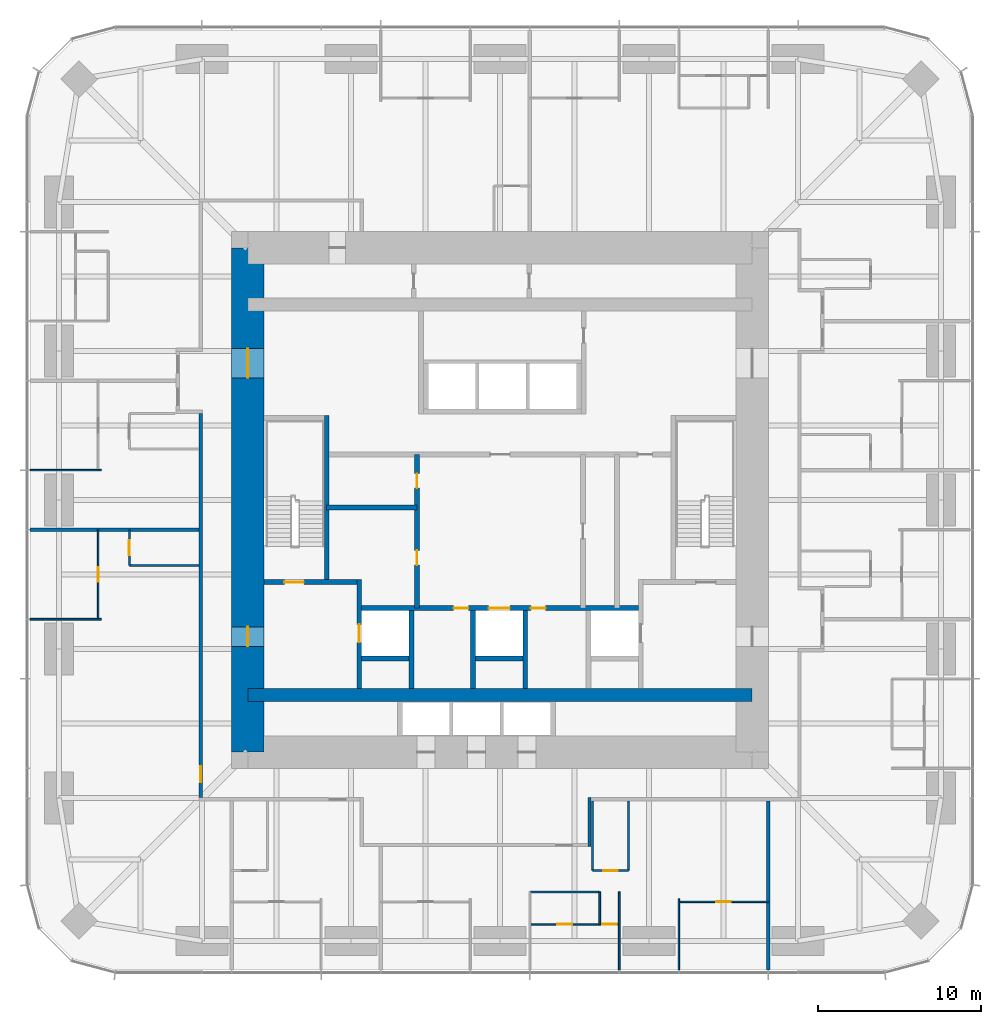
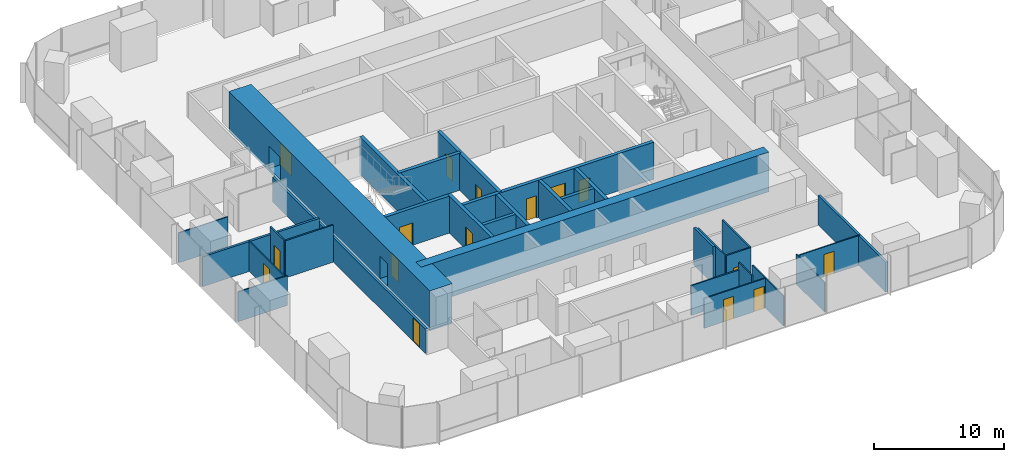
# One storey, part 9 of 13: 31 walls, 16 doors, 16 openings.
"""IFC4 building model written with IfcOpenShell, lengths in metres."""

from ifc_helpers import new_model, si_unit, direction, frame, frame_2d, origin, place, context, subcontext, project, spatial, rectangle, extrude, material, layer, layer_set, type_object, element, fill, save


model = new_model("IFC4")

# Units and contexts
model_context = context("Model", 3, precision=1e-05, world=origin(), true_north=direction((0.0, 1.0)))
body_context = subcontext(model_context, "Body", "Model", "MODEL_VIEW")
ifc_project = project(units=[si_unit("LENGTHUNIT", "METRE"), si_unit("AREAUNIT", "SQUARE_METRE"), si_unit("VOLUMEUNIT", "CUBIC_METRE"), si_unit("PLANEANGLEUNIT", "RADIAN"), si_unit("MASSUNIT", "GRAM", prefix="KILO")], contexts=[model_context])

# Site, building, storey
site_placement = place(None, origin())
site = spatial("IfcSite", under=ifc_project, at=site_placement, CompositionType="ELEMENT")
building_placement = place(site_placement, origin())
building = spatial("IfcBuilding", under=site, at=building_placement, Name="Khuree Lantern Residences", CompositionType="ELEMENT")
storey_placement = place(building_placement, frame((0.0, 0.0, 133.5)))
storey = spatial("IfcBuildingStorey", under=building, at=storey_placement, Name="L33", CompositionType="ELEMENT", Elevation=133.5)

# Wall, opening, door
ifc_material_1 = material(Name="Moisture-resistant gypsum board on steel studs", Category="steel")
ifc_layer_1 = layer(ifc_material_1, 0.125)
ifc_layer_set_1 = layer_set([ifc_layer_1], Name="BATHROOM WALL BTW125")
wall_type_1 = type_object("IfcWallType", Name="BATHROOM WALL BTW125", PredefinedType="PARTITIONING", material=ifc_layer_set_1)
wall_1_placement = place(storey_placement, frame((-22.77978515625, -1.83203125, 0.0), z_axis=(0.0, 0.0, 1.0), x_axis=(0.0, -1.0, 0.0)))
wall_1 = element("IfcWall", 1, at=wall_1_placement, inside=storey, type_object=wall_type_1, Name="L33 BATHROOM WALL 06", PredefinedType="PARTITIONING", context=body_context, shape_type="SweptSolid", body=[
    extrude(rectangle(XDim=2.199951171875, YDim=0.125, at=frame_2d((1.10009765625, 0.0))), origin(), (0.0, 0.0, 1.0), 3.5),
])
opening_1_placement = place(wall_1_placement, frame((0.64990234375, 0.0, 0.0)))
opening_1 = element("IfcOpeningElement", 2, at=opening_1_placement, cuts=wall_1, Name="Opening 33-044", PredefinedType="OPENING", context=body_context, shape_type="SweptSolid", body=[
    extrude(rectangle(XDim=0.89990234375, YDim=2.10009765625, at=frame_2d((0.449951171875, 1.050048828125))), frame((0.0, 0.072509765625, 0.0), z_axis=(0.0, -1.0, 0.0), x_axis=(1.0, 0.0, 0.0)), (0.0, 0.0, 1.0), 0.14501953125),
])
ifc_material_2 = material(Name="Timber door leaf in hardwood frame", Category="wood")
door_type_1 = type_object("IfcDoorType", Name="BATHROOM DOOR 900X2100", OperationType="SINGLE_SWING_LEFT", PredefinedType="DOOR", material=ifc_material_2)
door_1_placement = place(opening_1_placement, origin())
door_1 = element("IfcDoor", 3, at=door_1_placement, inside=storey, type_object=door_type_1, Name="Bathroom door 33-044", OperationType="SINGLE_SWING_LEFT", OverallHeight=2.10009765625, OverallWidth=0.89990234375, PredefinedType="DOOR", context=body_context, shape_type="SweptSolid", body=[
    extrude(rectangle(XDim=0.89990234375, YDim=2.10009765625, at=frame_2d((0.449951171875, 1.050048828125))), frame((0.0, 0.02490234375, 0.0), z_axis=(0.0, -1.0, 0.0), x_axis=(1.0, 0.0, 0.0)), (0.0, 0.0, 1.0), 0.050048828125),
])
fill(opening_1, door_1)

# Walls
wall_2_placement = place(storey_placement, frame((-18.5, -4.031982421875, 0.0), z_axis=(0.0, 0.0, 1.0), x_axis=(-1.0, 0.0, 0.0)))
element("IfcWall", 4, at=wall_2_placement, inside=storey, type_object=wall_type_1, Name="L33 BATHROOM WALL 06", PredefinedType="PARTITIONING", context=body_context, shape_type="SweptSolid", body=[
    extrude(rectangle(XDim=4.27978515625, YDim=0.125, at=frame_2d((2.139892578125, 0.0))), origin(), (0.0, 0.0, 1.0), 3.5),
])
wall_3_placement = place(storey_placement, frame((1.83203125, -24.079833984375, 0.0), z_axis=(0.0, 0.0, 1.0), x_axis=(1.0, 0.0, 0.0)))
element("IfcWall", 5, at=wall_3_placement, inside=storey, type_object=wall_type_1, Name="L33 BATHROOM WALL 08", PredefinedType="PARTITIONING", context=body_context, shape_type="SweptSolid", body=[
    extrude(rectangle(XDim=4.2958984375, YDim=0.125, at=frame_2d((2.14794921875, 0.0))), origin(), (0.0, 0.0, 1.0), 2.81005859375),
])

# Wall, opening, door
wall_4_placement = place(storey_placement, frame((5.68359375, -22.77978515625, 0.0), z_axis=(0.0, 0.0, 1.0), x_axis=(1.0, 0.0, 0.0)))
wall_4 = element("IfcWall", 6, at=wall_4_placement, inside=storey, type_object=wall_type_1, Name="L33 BATHROOM WALL 08", PredefinedType="PARTITIONING", context=body_context, shape_type="SweptSolid", body=[
    extrude(rectangle(XDim=2.199951171875, YDim=0.125, at=frame_2d((1.10009765625, 0.0))), origin(), (0.0, 0.0, 1.0), 3.5),
])
opening_2_placement = place(wall_4_placement, frame((0.64990234375, 0.0, 0.0)))
opening_2 = element("IfcOpeningElement", 7, at=opening_2_placement, cuts=wall_4, Name="Opening 33-053", PredefinedType="OPENING", context=body_context, shape_type="SweptSolid", body=[
    extrude(rectangle(XDim=0.89990234375, YDim=2.10009765625, at=frame_2d((0.449951171875, 1.050048828125))), frame((0.0, 0.072509765625, 0.0), z_axis=(0.0, -1.0, 0.0), x_axis=(1.0, 0.0, 0.0)), (0.0, 0.0, 1.0), 0.14501953125),
])
door_2_placement = place(opening_2_placement, origin())
door_2 = element("IfcDoor", 8, at=door_2_placement, inside=storey, type_object=door_type_1, Name="Bathroom door 33-053", OperationType="SINGLE_SWING_LEFT", OverallHeight=2.10009765625, OverallWidth=0.89990234375, PredefinedType="DOOR", context=body_context, shape_type="SweptSolid", body=[
    extrude(rectangle(XDim=0.89990234375, YDim=2.10009765625, at=frame_2d((0.449951171875, 1.050048828125))), frame((0.0, 0.02490234375, 0.0), z_axis=(0.0, -1.0, 0.0), x_axis=(1.0, 0.0, 0.0)), (0.0, 0.0, 1.0), 0.050048828125),
])
fill(opening_2, door_2)

# Walls
for number, where, z_axis, x_axis, name in (
    (9, (5.68359375, -18.5, 0.0), (0.0, 0.0, 1.0), (0.0, -1.0, 0.0), "L33 BATHROOM WALL 08"),
    (10, (7.883544921875, -18.5, 0.0), (0.0, 0.0, 1.0), (0.0, -1.0, 0.0), "L33 BATHROOM WALL 08"),
):
    element("IfcWall", number, at=place(storey_placement, frame(where, z_axis=z_axis, x_axis=x_axis)), inside=storey, type_object=wall_type_1, Name=name, PredefinedType="PARTITIONING", context=body_context, shape_type="SweptSolid", body=[
        extrude(rectangle(XDim=4.27978515625, YDim=0.125, at=frame_2d((2.139892578125, 0.0))), origin(), (0.0, 0.0, 1.0), 3.5),
    ])

# Wall, opening, door
ifc_material_3 = material(Name="Dense concrete blockwork", Category="masonry")
ifc_layer_2 = layer(ifc_material_3, 0.300048828125)
ifc_layer_set_2 = layer_set([ifc_layer_2], Name="CORE PARTITION WALL CPW300 EI 120")
wall_type_2 = type_object("IfcWallType", Name="CORE PARTITION WALL CPW300 EI 120", PredefinedType="PARTITIONING", material=ifc_layer_set_2)
wall_5_placement = place(storey_placement, frame((-8.64990234375, -11.60009765625, 0.0), z_axis=(0.0, 0.0, 1.0), x_axis=(0.0, 1.0, 0.0)))
wall_5 = element("IfcWall", 11, at=wall_5_placement, inside=storey, type_object=wall_type_2, Name="L33 CORE WALL FL1W", PredefinedType="PARTITIONING", context=body_context, shape_type="SweptSolid", body=[
    extrude(rectangle(XDim=6.7001953125, YDim=0.300048828125, at=frame_2d((3.35009765625, 0.0))), origin(), (0.0, 0.0, 1.0), 3.5),
])
opening_3_placement = place(wall_5_placement, frame((2.85009765625, 0.0, 0.0)))
opening_3 = element("IfcOpeningElement", 12, at=opening_3_placement, cuts=wall_5, Name="Opening 33-007", PredefinedType="OPENING", context=body_context, shape_type="SweptSolid", body=[
    extrude(rectangle(XDim=1.10009765625, YDim=2.10009765625, at=frame_2d((0.550048828125, 1.050048828125))), frame((0.0, 0.16015625, 0.0), z_axis=(0.0, -1.0, 0.0), x_axis=(1.0, 0.0, 0.0)), (0.0, 0.0, 1.0), 0.320068359375),
])
ifc_material_4 = material(Name="Stainless steel lift landing door", Category="steel")
door_type_2 = type_object("IfcDoorType", Name="LIFT LANDING DOOR 1100X2100 E 120", OperationType="DOUBLE_DOOR_SLIDING", PredefinedType="DOOR", material=ifc_material_4)
door_3_placement = place(opening_3_placement, origin())
door_3 = element("IfcDoor", 13, at=door_3_placement, inside=storey, type_object=door_type_2, Name="Landing door FL1 33-007", OperationType="DOUBLE_DOOR_SLIDING", OverallHeight=2.10009765625, OverallWidth=1.10009765625, PredefinedType="DOOR", context=body_context, shape_type="SweptSolid", body=[
    extrude(rectangle(XDim=1.10009765625, YDim=2.10009765625, at=frame_2d((0.550048828125, 1.050048828125))), frame((0.0, 0.02490234375, 0.0), z_axis=(0.0, -1.0, 0.0), x_axis=(1.0, 0.0, 0.0)), (0.0, 0.0, 1.0), 0.050048828125),
])
fill(opening_3, door_3)

# Wall, openings, doors
wall_6_placement = place(storey_placement, frame((-8.5, -6.64990234375, 0.0), z_axis=(0.0, 0.0, 1.0), x_axis=(1.0, 0.0, 0.0)))
wall_6 = element("IfcWall", 14, at=wall_6_placement, inside=storey, type_object=wall_type_2, Name="L33 CORE WALL FLROW", PredefinedType="PARTITIONING", context=body_context, shape_type="SweptSolid", body=[
    extrude(rectangle(XDim=17.0, YDim=0.300048828125, at=frame_2d((8.5, 0.0))), origin(), (0.0, 0.0, 1.0), 3.5),
])
opening_4_placement = place(wall_6_placement, frame((7.800048828125, 0.0, 0.0)))
opening_4 = element("IfcOpeningElement", 15, at=opening_4_placement, cuts=wall_6, Name="Opening 33-012", PredefinedType="OPENING", context=body_context, shape_type="SweptSolid", body=[
    extrude(rectangle(XDim=1.300048828125, YDim=2.39990234375, at=frame_2d((0.64990234375, 1.199951171875))), frame((0.0, 0.16015625, 0.0), z_axis=(0.0, -1.0, 0.0), x_axis=(1.0, 0.0, 0.0)), (0.0, 0.0, 1.0), 0.320068359375),
])
opening_5_placement = place(wall_6_placement, frame((5.64990234375, 0.0, 0.0)))
opening_5 = element("IfcOpeningElement", 16, at=opening_5_placement, cuts=wall_6, Name="Opening 33-014", PredefinedType="OPENING", context=body_context, shape_type="SweptSolid", body=[
    extrude(rectangle(XDim=0.89990234375, YDim=2.10009765625, at=frame_2d((0.449951171875, 1.050048828125))), frame((0.0, 0.16015625, 0.0), z_axis=(0.0, -1.0, 0.0), x_axis=(1.0, 0.0, 0.0)), (0.0, 0.0, 1.0), 0.320068359375),
])
opening_6_placement = place(wall_6_placement, frame((10.39990234375, 0.0, 0.0)))
opening_6 = element("IfcOpeningElement", 17, at=opening_6_placement, cuts=wall_6, Name="Opening 33-015", PredefinedType="OPENING", context=body_context, shape_type="SweptSolid", body=[
    extrude(rectangle(XDim=0.89990234375, YDim=2.10009765625, at=frame_2d((0.449951171875, 1.050048828125))), frame((0.0, 0.16015625, 0.0), z_axis=(0.0, -1.0, 0.0), x_axis=(1.0, 0.0, 0.0)), (0.0, 0.0, 1.0), 0.320068359375),
])
ifc_material_5 = material(Name="Steel door leaf in steel frame", Category="steel")
door_type_3 = type_object("IfcDoorType", Name="DOOR 900X2100 EI 60", OperationType="SINGLE_SWING_LEFT", PredefinedType="DOOR", material=ifc_material_5)
door_4_placement = place(opening_5_placement, origin())
door_4 = element("IfcDoor", 18, at=door_4_placement, inside=storey, type_object=door_type_3, Name="Refuse chute room door 33-014", OperationType="SINGLE_SWING_LEFT", OverallHeight=2.10009765625, OverallWidth=0.89990234375, PredefinedType="DOOR", context=body_context, shape_type="SweptSolid", body=[
    extrude(rectangle(XDim=0.89990234375, YDim=2.10009765625, at=frame_2d((0.449951171875, 1.050048828125))), frame((0.0, 0.02490234375, 0.0), z_axis=(0.0, -1.0, 0.0), x_axis=(1.0, 0.0, 0.0)), (0.0, 0.0, 1.0), 0.050048828125),
])
fill(opening_5, door_4)
door_type_4 = type_object("IfcDoorType", Name="DOOR 900X2100 EI 60 RIGHT HAND", OperationType="SINGLE_SWING_RIGHT", PredefinedType="DOOR", material=ifc_material_5)
door_5_placement = place(opening_6_placement, origin())
door_5 = element("IfcDoor", 19, at=door_5_placement, inside=storey, type_object=door_type_4, Name="Electrical and plumbing riser door 33-015", OperationType="SINGLE_SWING_RIGHT", OverallHeight=2.10009765625, OverallWidth=0.89990234375, PredefinedType="DOOR", context=body_context, shape_type="SweptSolid", body=[
    extrude(rectangle(XDim=0.89990234375, YDim=2.10009765625, at=frame_2d((0.449951171875, 1.050048828125))), frame((0.0, 0.02490234375, 0.0), z_axis=(0.0, -1.0, 0.0), x_axis=(1.0, 0.0, 0.0)), (0.0, 0.0, 1.0), 0.050048828125),
])
fill(opening_6, door_5)
door_type_5 = type_object("IfcDoorType", Name="LIFT LANDING DOOR 1300X2400 E 60", OperationType="DOUBLE_DOOR_SLIDING", PredefinedType="DOOR", material=ifc_material_4)
door_6_placement = place(opening_4_placement, origin())
door_6 = element("IfcDoor", 20, at=door_6_placement, inside=storey, type_object=door_type_5, Name="Landing door SL1 33-012", OperationType="DOUBLE_DOOR_SLIDING", OverallHeight=2.39990234375, OverallWidth=1.300048828125, PredefinedType="DOOR", context=body_context, shape_type="SweptSolid", body=[
    extrude(rectangle(XDim=1.300048828125, YDim=2.39990234375, at=frame_2d((0.64990234375, 1.199951171875))), frame((0.0, 0.02490234375, 0.0), z_axis=(0.0, -1.0, 0.0), x_axis=(1.0, 0.0, 0.0)), (0.0, 0.0, 1.0), 0.050048828125),
])
fill(opening_4, door_6)

# Walls
for number, where, z_axis, x_axis, name in (
    (21, (-5.449951171875, -11.60009765625, 0.0), (0.0, 0.0, 1.0), (0.0, 1.0, 0.0), "L33 CORE WALL FL1E"),
    (22, (-1.64990234375, -11.60009765625, 0.0), (0.0, 0.0, 1.0), (0.0, 1.0, 0.0), "L33 CORE WALL SL1W"),
    (23, (1.550048828125, -11.60009765625, 0.0), (0.0, 0.0, 1.0), (0.0, 1.0, 0.0), "L33 CORE WALL SL1E"),
):
    element("IfcWall", number, at=place(storey_placement, frame(where, z_axis=z_axis, x_axis=x_axis)), inside=storey, type_object=wall_type_2, Name=name, PredefinedType="PARTITIONING", context=body_context, shape_type="SweptSolid", body=[
        extrude(rectangle(XDim=4.800048828125, YDim=0.300048828125, at=frame_2d((2.39990234375, 0.0))), origin(), (0.0, 0.0, 1.0), 3.5),
    ])
for number, where, z_axis, x_axis, name in (
    (24, (-8.5, -9.75, 0.0), (0.0, 0.0, 1.0), (1.0, 0.0, 0.0), "L33 CORE WALL FL1S"),
    (25, (-1.5, -9.75, 0.0), (0.0, 0.0, 1.0), (1.0, 0.0, 0.0), "L33 CORE WALL SL1S"),
):
    element("IfcWall", number, at=place(storey_placement, frame(where, z_axis=z_axis, x_axis=x_axis)), inside=storey, type_object=wall_type_2, Name=name, PredefinedType="PARTITIONING", context=body_context, shape_type="SweptSolid", body=[
        extrude(rectangle(XDim=2.89990234375, YDim=0.300048828125, at=frame_2d((1.449951171875, 0.0))), origin(), (0.0, 0.0, 1.0), 3.5),
    ])

# Wall, openings, doors
wall_7_placement = place(storey_placement, frame((-5.10009765625, -6.64990234375, 0.0), z_axis=(0.0, 0.0, 1.0), x_axis=(0.0, 1.0, 0.0)))
wall_7 = element("IfcWall", 26, at=wall_7_placement, inside=storey, type_object=wall_type_2, Name="L33 CORE WALL SVW", PredefinedType="PARTITIONING", context=body_context, shape_type="SweptSolid", body=[
    extrude(rectangle(XDim=9.449951171875, YDim=0.300048828125, at=frame_2d((4.72509765625, 0.0))), origin(), (0.0, 0.0, 1.0), 3.5),
])
opening_7_placement = place(wall_7_placement, frame((2.64794921875, 0.0, 0.0)))
opening_7 = element("IfcOpeningElement", 27, at=opening_7_placement, cuts=wall_7, Name="Opening 33-016", PredefinedType="OPENING", context=body_context, shape_type="SweptSolid", body=[
    extrude(rectangle(XDim=0.89990234375, YDim=2.10009765625, at=frame_2d((0.449951171875, 1.050048828125))), frame((0.0, 0.16015625, 0.0), z_axis=(0.0, -1.0, 0.0), x_axis=(1.0, 0.0, 0.0)), (0.0, 0.0, 1.0), 0.320068359375),
])
opening_8_placement = place(wall_7_placement, frame((7.373046875, 0.0, 0.0)))
opening_8 = element("IfcOpeningElement", 28, at=opening_8_placement, cuts=wall_7, Name="Opening 33-017", PredefinedType="OPENING", context=body_context, shape_type="SweptSolid", body=[
    extrude(rectangle(XDim=0.89990234375, YDim=2.10009765625, at=frame_2d((0.449951171875, 1.050048828125))), frame((0.0, 0.16015625, 0.0), z_axis=(0.0, -1.0, 0.0), x_axis=(1.0, 0.0, 0.0)), (0.0, 0.0, 1.0), 0.320068359375),
])
door_type_6 = type_object("IfcDoorType", Name="DOOR 900X2100", OperationType="SINGLE_SWING_LEFT", PredefinedType="DOOR", material=ifc_material_2)
door_7_placement = place(opening_7_placement, origin())
door_7 = element("IfcDoor", 29, at=door_7_placement, inside=storey, type_object=door_type_6, Name="Residents' store door 33-016", OperationType="SINGLE_SWING_LEFT", OverallHeight=2.10009765625, OverallWidth=0.89990234375, PredefinedType="DOOR", context=body_context, shape_type="SweptSolid", body=[
    extrude(rectangle(XDim=0.89990234375, YDim=2.10009765625, at=frame_2d((0.449951171875, 1.050048828125))), frame((0.0, 0.02490234375, 0.0), z_axis=(0.0, -1.0, 0.0), x_axis=(1.0, 0.0, 0.0)), (0.0, 0.0, 1.0), 0.050048828125),
])
fill(opening_7, door_7)
door_8_placement = place(opening_8_placement, origin())
door_8 = element("IfcDoor", 30, at=door_8_placement, inside=storey, type_object=door_type_6, Name="Parcel room door 33-017", OperationType="SINGLE_SWING_LEFT", OverallHeight=2.10009765625, OverallWidth=0.89990234375, PredefinedType="DOOR", context=body_context, shape_type="SweptSolid", body=[
    extrude(rectangle(XDim=0.89990234375, YDim=2.10009765625, at=frame_2d((0.449951171875, 1.050048828125))), frame((0.0, 0.02490234375, 0.0), z_axis=(0.0, -1.0, 0.0), x_axis=(1.0, 0.0, 0.0)), (0.0, 0.0, 1.0), 0.050048828125),
])
fill(opening_8, door_8)

# Wall
wall_8_placement = place(storey_placement, frame((-10.64990234375, -0.455078125, 0.0), z_axis=(0.0, 0.0, 1.0), x_axis=(1.0, 0.0, 0.0)))
element("IfcWall", 31, at=wall_8_placement, inside=storey, type_object=wall_type_2, Name="L33 CORE WALL WX", PredefinedType="PARTITIONING", context=body_context, shape_type="SweptSolid", body=[
    extrude(rectangle(XDim=5.5498046875, YDim=0.300048828125, at=frame_2d((2.77490234375, 0.0))), origin(), (0.0, 0.0, 1.0), 3.5),
])

# Wall, opening, door
ifc_material_6 = material(Name="Gypsum board on steel studs", Category="steel")
ifc_layer_3 = layer(ifc_material_6, 0.199951171875)
ifc_layer_set_3 = layer_set([ifc_layer_3], Name="CORRIDOR WALL CRW200 EI 60")
wall_type_3 = type_object("IfcWallType", Name="CORRIDOR WALL CRW200 EI 60", PredefinedType="PARTITIONING", material=ifc_layer_set_3)
wall_9_placement = place(storey_placement, frame((-18.39990234375, 5.327880859375, 0.0), z_axis=(0.0, 0.0, 1.0), x_axis=(0.0, -1.0, 0.0)))
wall_9 = element("IfcWall", 32, at=wall_9_placement, inside=storey, type_object=wall_type_3, Name="L33 CORRIDOR WALL WEST 2", PredefinedType="PARTITIONING", context=body_context, shape_type="SweptSolid", body=[
    extrude(rectangle(XDim=23.6279296875, YDim=0.199951171875, at=frame_2d((11.81396484375, 0.0))), origin(), (0.0, 0.0, 1.0), 2.300048828125),
])
opening_9_placement = place(wall_9_placement, frame((21.679931640625, 0.0, 0.0)))
opening_9 = element("IfcOpeningElement", 33, at=opening_9_placement, cuts=wall_9, Name="Opening 33-045", PredefinedType="OPENING", context=body_context, shape_type="SweptSolid", body=[
    extrude(rectangle(XDim=1.0, YDim=2.199951171875, at=frame_2d((0.5, 1.10009765625))), frame((0.0, 0.10986328125, 0.0), z_axis=(0.0, -1.0, 0.0), x_axis=(1.0, 0.0, 0.0)), (0.0, 0.0, 1.0), 0.219970703125),
])
door_type_7 = type_object("IfcDoorType", Name="APARTMENT ENTRANCE DOOR 1000X2200 EI 30S RIGHT HAND", OperationType="SINGLE_SWING_RIGHT", PredefinedType="DOOR", material=ifc_material_2)
door_9_placement = place(opening_9_placement, origin())
door_9 = element("IfcDoor", 34, at=door_9_placement, inside=storey, type_object=door_type_7, Name="Apartment 06 entrance door 33-045", OperationType="SINGLE_SWING_RIGHT", OverallHeight=2.199951171875, OverallWidth=1.0, PredefinedType="DOOR", context=body_context, shape_type="SweptSolid", body=[
    extrude(rectangle(XDim=1.0, YDim=2.199951171875, at=frame_2d((0.5, 1.10009765625))), frame((0.0, 0.02490234375, 0.0), z_axis=(0.0, -1.0, 0.0), x_axis=(1.0, 0.0, 0.0)), (0.0, 0.0, 1.0), 0.050048828125),
])
fill(opening_9, door_9)

# Wall
wall_10_placement = place(storey_placement, frame((5.5, -18.300048828125, 0.0), z_axis=(0.0, 0.0, 1.0), x_axis=(0.0, -1.0, 0.0)))
element("IfcWall", 35, at=wall_10_placement, inside=storey, type_object=wall_type_3, Name="L33 LIFT LOBBY WALL", PredefinedType="PARTITIONING", context=body_context, shape_type="SweptSolid", body=[
    extrude(rectangle(XDim=3.0, YDim=0.199951171875, at=frame_2d((1.5, 0.0))), origin(), (0.0, 0.0, 1.0), 3.5),
])

# Wall, openings, doors
ifc_material_7 = material(Name="Concrete C70/85", Category="concrete")
ifc_layer_4 = layer(ifc_material_7, 2.0)
ifc_layer_set_4 = layer_set([ifc_layer_4], Name="CW2000-C70 CORE WALL C70 2000")
wall_type_4 = type_object("IfcWallType", Name="CW2000-C70 CORE WALL C70 2000", PredefinedType="SHEAR", material=ifc_layer_set_4)
wall_11_placement = place(storey_placement, frame((-15.5, -15.5, -0.25), z_axis=(0.0, 0.0, 1.0), x_axis=(0.0, 1.0, 0.0)))
wall_11 = element("IfcWall", 36, at=wall_11_placement, inside=storey, type_object=wall_type_4, Name="Core wall W", PredefinedType="SHEAR", context=body_context, shape_type="SweptSolid", body=[
    extrude(rectangle(XDim=31.0, YDim=2.0, at=frame_2d((15.5, 0.0))), origin(), (0.0, 0.0, 1.0), 3.75),
])
opening_10_placement = place(wall_11_placement, frame((6.5, 0.0, 0.25)))
opening_10 = element("IfcOpeningElement", 37, at=opening_10_placement, cuts=wall_11, Name="Opening 33-002", PredefinedType="OPENING", context=body_context, shape_type="SweptSolid", body=[
    extrude(rectangle(XDim=1.199951171875, YDim=2.10009765625, at=frame_2d((0.60009765625, 1.050048828125))), frame((0.0, 1.010009765625, 0.0), z_axis=(0.0, -1.0, 0.0), x_axis=(1.0, 0.0, 0.0)), (0.0, 0.0, 1.0), 2.02001953125),
])
opening_11_placement = place(wall_11_placement, frame((23.0, 0.0, 0.25)))
opening_11 = element("IfcOpeningElement", 38, at=opening_11_placement, cuts=wall_11, Name="Opening 33-003", PredefinedType="OPENING", context=body_context, shape_type="SweptSolid", body=[
    extrude(rectangle(XDim=1.800048828125, YDim=2.10009765625, at=frame_2d((0.89990234375, 1.050048828125))), frame((0.0, 1.010009765625, 0.0), z_axis=(0.0, -1.0, 0.0), x_axis=(1.0, 0.0, 0.0)), (0.0, 0.0, 1.0), 2.02001953125),
])
door_type_8 = type_object("IfcDoorType", Name="LOBBY DOOR 1200X2100 EI 120", OperationType="SINGLE_SWING_LEFT", PredefinedType="DOOR", material=ifc_material_5)
door_10_placement = place(opening_10_placement, origin())
door_10 = element("IfcDoor", 39, at=door_10_placement, inside=storey, type_object=door_type_8, Name="Firefighting lobby door 33-002", OperationType="SINGLE_SWING_LEFT", OverallHeight=2.10009765625, OverallWidth=1.199951171875, PredefinedType="DOOR", context=body_context, shape_type="SweptSolid", body=[
    extrude(rectangle(XDim=1.199951171875, YDim=2.10009765625, at=frame_2d((0.60009765625, 1.050048828125))), frame((0.0, 0.02490234375, 0.0), z_axis=(0.0, -1.0, 0.0), x_axis=(1.0, 0.0, 0.0)), (0.0, 0.0, 1.0), 0.050048828125),
])
fill(opening_10, door_10)
door_type_9 = type_object("IfcDoorType", Name="LOBBY DOUBLE DOOR 1800X2100 EI 60", OperationType="DOUBLE_DOOR_SINGLE_SWING", PredefinedType="DOOR", material=ifc_material_5)
door_11_placement = place(opening_11_placement, origin())
door_11 = element("IfcDoor", 40, at=door_11_placement, inside=storey, type_object=door_type_9, Name="Lift lobby door 33-003", OperationType="DOUBLE_DOOR_SINGLE_SWING", OverallHeight=2.10009765625, OverallWidth=1.800048828125, PredefinedType="DOOR", context=body_context, shape_type="SweptSolid", body=[
    extrude(rectangle(XDim=1.800048828125, YDim=2.10009765625, at=frame_2d((0.89990234375, 1.050048828125))), frame((0.0, 0.02490234375, 0.0), z_axis=(0.0, -1.0, 0.0), x_axis=(1.0, 0.0, 0.0)), (0.0, 0.0, 1.0), 0.050048828125),
])
fill(opening_11, door_11)

# Walls
ifc_layer_5 = layer(ifc_material_6, 0.199951171875)
ifc_layer_set_5 = layer_set([ifc_layer_5], Name="DEMISING WALL DMW200 EI 90")
wall_type_5 = type_object("IfcWallType", Name="DEMISING WALL DMW200 EI 90", PredefinedType="PARTITIONING", material=ifc_layer_set_5)
for number, where, z_axis, x_axis, name in (
    (41, (-18.5, -1.83203125, 0.0), (0.0, 0.0, 1.0), (-1.0, 0.0, 0.0), "L33 DEMISING WALL 06"),
    (42, (16.488037109375, -18.5, 0.0), (0.0, 0.0, 1.0), (0.0, -1.0, 0.0), "L33 DEMISING WALL 09"),
):
    element("IfcWall", number, at=place(storey_placement, frame(where, z_axis=z_axis, x_axis=x_axis)), inside=storey, type_object=wall_type_5, Name=name, PredefinedType="PARTITIONING", context=body_context, shape_type="SweptSolid", body=[
        extrude(rectangle(XDim=10.39990234375, YDim=0.199951171875, at=frame_2d((5.199951171875, 0.0))), origin(), (0.0, 0.0, 1.0), 2.81005859375),
    ])
ifc_layer_6 = layer(ifc_material_6, 0.10009765625)
ifc_layer_set_6 = layer_set([ifc_layer_6], Name="PARTITION PT100")
wall_type_6 = type_object("IfcWallType", Name="PARTITION PT100", PredefinedType="PARTITIONING", material=ifc_layer_set_6)
for number, where, z_axis, x_axis, name in (
    (43, (-24.5, 1.83203125, 0.0), (0.0, 0.0, 1.0), (-1.0, 0.0, 0.0), "L33 PARTITION 05"),
    (44, (-24.5, -7.327880859375, 0.0), (0.0, 0.0, 1.0), (-1.0, 0.0, 0.0), "L33 PARTITION 06"),
):
    element("IfcWall", number, at=place(storey_placement, frame(where, z_axis=z_axis, x_axis=x_axis)), inside=storey, type_object=wall_type_6, Name=name, PredefinedType="PARTITIONING", context=body_context, shape_type="SweptSolid", body=[
        extrude(rectangle(XDim=4.39990234375, YDim=0.10009765625, at=frame_2d((2.199951171875, 0.0))), origin(), (0.0, 0.0, 1.0), 2.81005859375),
    ])
wall_12_placement = place(storey_placement, frame((7.327880859375, -24.079833984375, 0.0), z_axis=(0.0, 0.0, 1.0), x_axis=(0.0, -1.0, 0.0)))
element("IfcWall", 45, at=wall_12_placement, inside=storey, type_object=wall_type_6, Name="L33 PARTITION 08", PredefinedType="PARTITIONING", context=body_context, shape_type="SweptSolid", body=[
    extrude(rectangle(XDim=4.820068359375, YDim=0.10009765625, at=frame_2d((2.41015625, 0.0))), origin(), (0.0, 0.0, 1.0), 2.81005859375),
])
wall_13_placement = place(storey_placement, frame((10.991943359375, -24.5, 0.0), z_axis=(0.0, 0.0, 1.0), x_axis=(0.0, -1.0, 0.0)))
element("IfcWall", 46, at=wall_13_placement, inside=storey, type_object=wall_type_6, Name="L33 PARTITION 08", PredefinedType="PARTITIONING", context=body_context, shape_type="SweptSolid", body=[
    extrude(rectangle(XDim=4.39990234375, YDim=0.10009765625, at=frame_2d((2.199951171875, 0.0))), origin(), (0.0, 0.0, 1.0), 2.81005859375),
])

# Wall, opening, door
wall_14_placement = place(storey_placement, frame((-24.699951171875, -1.83203125, 0.0), z_axis=(0.0, 0.0, 1.0), x_axis=(0.0, -1.0, 0.0)))
wall_14 = element("IfcWall", 47, at=wall_14_placement, inside=storey, type_object=wall_type_6, Name="L33 PARTITION 06", PredefinedType="PARTITIONING", context=body_context, shape_type="SweptSolid", body=[
    extrude(rectangle(XDim=5.495849609375, YDim=0.10009765625, at=frame_2d((2.748046875, 0.0))), origin(), (0.0, 0.0, 1.0), 2.81005859375),
])
opening_12_placement = place(wall_14_placement, frame((2.298095703125, 0.0, 0.0)))
opening_12 = element("IfcOpeningElement", 48, at=opening_12_placement, cuts=wall_14, Name="Opening 33-043", PredefinedType="OPENING", context=body_context, shape_type="SweptSolid", body=[
    extrude(rectangle(XDim=0.89990234375, YDim=2.10009765625, at=frame_2d((0.449951171875, 1.050048828125))), frame((0.0, 0.06005859375, 0.0), z_axis=(0.0, -1.0, 0.0), x_axis=(1.0, 0.0, 0.0)), (0.0, 0.0, 1.0), 0.1201171875),
])
door_type_10 = type_object("IfcDoorType", Name="BEDROOM DOOR 900X2100", OperationType="SINGLE_SWING_LEFT", PredefinedType="DOOR", material=ifc_material_2)
door_12_placement = place(opening_12_placement, origin())
door_12 = element("IfcDoor", 49, at=door_12_placement, inside=storey, type_object=door_type_10, Name="Bedroom door 33-043", OperationType="SINGLE_SWING_LEFT", OverallHeight=2.10009765625, OverallWidth=0.89990234375, PredefinedType="DOOR", context=body_context, shape_type="SweptSolid", body=[
    extrude(rectangle(XDim=0.89990234375, YDim=2.10009765625, at=frame_2d((0.449951171875, 1.050048828125))), frame((0.0, 0.02490234375, 0.0), z_axis=(0.0, -1.0, 0.0), x_axis=(1.0, 0.0, 0.0)), (0.0, 0.0, 1.0), 0.050048828125),
])
fill(opening_12, door_12)

# Wall, openings, doors
wall_15_placement = place(storey_placement, frame((1.83203125, -26.079833984375, 0.0), z_axis=(0.0, 0.0, 1.0), x_axis=(1.0, 0.0, 0.0)))
wall_15 = element("IfcWall", 50, at=wall_15_placement, inside=storey, type_object=wall_type_6, Name="L33 PARTITION 08", PredefinedType="PARTITIONING", context=body_context, shape_type="SweptSolid", body=[
    extrude(rectangle(XDim=5.495849609375, YDim=0.10009765625, at=frame_2d((2.748046875, 0.0))), origin(), (0.0, 0.0, 1.0), 2.81005859375),
])
opening_13_placement = place(wall_15_placement, frame((4.446044921875, 0.0, 0.0)))
opening_13 = element("IfcOpeningElement", 51, at=opening_13_placement, cuts=wall_15, Name="Opening 33-050", PredefinedType="OPENING", context=body_context, shape_type="SweptSolid", body=[
    extrude(rectangle(XDim=0.89990234375, YDim=2.10009765625, at=frame_2d((0.449951171875, 1.050048828125))), frame((0.0, 0.06005859375, 0.0), z_axis=(0.0, -1.0, 0.0), x_axis=(1.0, 0.0, 0.0)), (0.0, 0.0, 1.0), 0.1201171875),
])
opening_14_placement = place(wall_15_placement, frame((1.697998046875, 0.0, 0.0)))
opening_14 = element("IfcOpeningElement", 52, at=opening_14_placement, cuts=wall_15, Name="Opening 33-051", PredefinedType="OPENING", context=body_context, shape_type="SweptSolid", body=[
    extrude(rectangle(XDim=0.89990234375, YDim=2.10009765625, at=frame_2d((0.449951171875, 1.050048828125))), frame((0.0, 0.06005859375, 0.0), z_axis=(0.0, -1.0, 0.0), x_axis=(1.0, 0.0, 0.0)), (0.0, 0.0, 1.0), 0.1201171875),
])
door_13_placement = place(opening_14_placement, origin())
door_13 = element("IfcDoor", 53, at=door_13_placement, inside=storey, type_object=door_type_1, Name="Bathroom door 33-051", OperationType="SINGLE_SWING_LEFT", OverallHeight=2.10009765625, OverallWidth=0.89990234375, PredefinedType="DOOR", context=body_context, shape_type="SweptSolid", body=[
    extrude(rectangle(XDim=0.89990234375, YDim=2.10009765625, at=frame_2d((0.449951171875, 1.050048828125))), frame((0.0, 0.02490234375, 0.0), z_axis=(0.0, -1.0, 0.0), x_axis=(1.0, 0.0, 0.0)), (0.0, 0.0, 1.0), 0.050048828125),
])
fill(opening_14, door_13)
door_14_placement = place(opening_13_placement, origin())
door_14 = element("IfcDoor", 54, at=door_14_placement, inside=storey, type_object=door_type_10, Name="Bedroom door 33-050", OperationType="SINGLE_SWING_LEFT", OverallHeight=2.10009765625, OverallWidth=0.89990234375, PredefinedType="DOOR", context=body_context, shape_type="SweptSolid", body=[
    extrude(rectangle(XDim=0.89990234375, YDim=2.10009765625, at=frame_2d((0.449951171875, 1.050048828125))), frame((0.0, 0.02490234375, 0.0), z_axis=(0.0, -1.0, 0.0), x_axis=(1.0, 0.0, 0.0)), (0.0, 0.0, 1.0), 0.050048828125),
])
fill(opening_13, door_14)

# Wall
wall_16_placement = place(storey_placement, frame((6.1279296875, -24.079833984375, 0.0), z_axis=(0.0, 0.0, 1.0), x_axis=(0.0, -1.0, 0.0)))
element("IfcWall", 55, at=wall_16_placement, inside=storey, type_object=wall_type_6, Name="L33 PARTITION 08", PredefinedType="PARTITIONING", context=body_context, shape_type="SweptSolid", body=[
    extrude(rectangle(XDim=2.0, YDim=0.10009765625, at=frame_2d((1.0, 0.0))), origin(), (0.0, 0.0, 1.0), 3.5),
])

# Wall, opening, door
wall_17_placement = place(storey_placement, frame((10.991943359375, -24.699951171875, 0.0), z_axis=(0.0, 0.0, 1.0), x_axis=(1.0, 0.0, 0.0)))
wall_17 = element("IfcWall", 56, at=wall_17_placement, inside=storey, type_object=wall_type_6, Name="L33 PARTITION 08", PredefinedType="PARTITIONING", context=body_context, shape_type="SweptSolid", body=[
    extrude(rectangle(XDim=5.49609375, YDim=0.10009765625, at=frame_2d((2.748046875, 0.0))), origin(), (0.0, 0.0, 1.0), 2.81005859375),
])
opening_15_placement = place(wall_17_placement, frame((2.298095703125, 0.0, 0.0)))
opening_15 = element("IfcOpeningElement", 57, at=opening_15_placement, cuts=wall_17, Name="Opening 33-052", PredefinedType="OPENING", context=body_context, shape_type="SweptSolid", body=[
    extrude(rectangle(XDim=0.89990234375, YDim=2.10009765625, at=frame_2d((0.449951171875, 1.050048828125))), frame((0.0, 0.06005859375, 0.0), z_axis=(0.0, -1.0, 0.0), x_axis=(1.0, 0.0, 0.0)), (0.0, 0.0, 1.0), 0.1201171875),
])
door_type_11 = type_object("IfcDoorType", Name="BEDROOM DOOR 900X2100 RIGHT HAND", OperationType="SINGLE_SWING_RIGHT", PredefinedType="DOOR", material=ifc_material_2)
door_15_placement = place(opening_15_placement, origin())
door_15 = element("IfcDoor", 58, at=door_15_placement, inside=storey, type_object=door_type_11, Name="Bedroom door 33-052", OperationType="SINGLE_SWING_RIGHT", OverallHeight=2.10009765625, OverallWidth=0.89990234375, PredefinedType="DOOR", context=body_context, shape_type="SweptSolid", body=[
    extrude(rectangle(XDim=0.89990234375, YDim=2.10009765625, at=frame_2d((0.449951171875, 1.050048828125))), frame((0.0, 0.02490234375, 0.0), z_axis=(0.0, -1.0, 0.0), x_axis=(1.0, 0.0, 0.0)), (0.0, 0.0, 1.0), 0.050048828125),
])
fill(opening_15, door_15)

# Walls
ifc_layer_7 = layer(ifc_material_7, 0.800048828125)
ifc_layer_set_7 = layer_set([ifc_layer_7], Name="SP800-C70 CORE SPINE WALL C70 800")
wall_type_7 = type_object("IfcWallType", Name="SP800-C70 CORE SPINE WALL C70 800", PredefinedType="SHEAR", material=ifc_layer_set_7)
wall_18_placement = place(storey_placement, frame((-15.5, -12.0, -0.25), z_axis=(0.0, 0.0, 1.0), x_axis=(1.0, 0.0, 0.0)))
element("IfcWall", 59, at=wall_18_placement, inside=storey, type_object=wall_type_7, Name="Core wall SPS", PredefinedType="SHEAR", context=body_context, shape_type="SweptSolid", body=[
    extrude(rectangle(XDim=31.0, YDim=0.800048828125, at=frame_2d((15.5, 0.0))), origin(), (0.0, 0.0, 1.0), 3.75),
])
ifc_material_8 = material(Name="Concrete C50/60", Category="concrete")
ifc_layer_8 = layer(ifc_material_8, 0.300048828125)
ifc_layer_set_8 = layer_set([ifc_layer_8], Name="STAIR WALL SRW300 C50/60 REI 240")
wall_type_8 = type_object("IfcWallType", Name="STAIR WALL SRW300 C50/60 REI 240", PredefinedType="SOLIDWALL", material=ifc_layer_set_8)
wall_19_placement = place(storey_placement, frame((-10.64990234375, -4.89990234375, 0.0), z_axis=(0.0, 0.0, 1.0), x_axis=(0.0, 1.0, 0.0)))
element("IfcWall", 60, at=wall_19_placement, inside=storey, type_object=wall_type_8, Name="L33 STAIR WALL ST1E", PredefinedType="SOLIDWALL", context=body_context, shape_type="SweptSolid", body=[
    extrude(rectangle(XDim=10.099853515625, YDim=0.300048828125, at=frame_2d((5.0498046875, 0.0))), origin(), (0.0, 0.0, 1.0), 3.5),
])

# Wall, opening, door
wall_20_placement = place(storey_placement, frame((-14.5, -5.050048828125, 0.0), z_axis=(0.0, 0.0, 1.0), x_axis=(1.0, 0.0, 0.0)))
wall_20 = element("IfcWall", 61, at=wall_20_placement, inside=storey, type_object=wall_type_8, Name="L33 STAIR WALL ST1S", PredefinedType="SOLIDWALL", context=body_context, shape_type="SweptSolid", body=[
    extrude(rectangle(XDim=5.699951171875, YDim=0.300048828125, at=frame_2d((2.85009765625, 0.0))), origin(), (0.0, 0.0, 1.0), 3.5),
])
opening_16_placement = place(wall_20_placement, frame((1.25, 0.0, 0.0)))
opening_16 = element("IfcOpeningElement", 62, at=opening_16_placement, cuts=wall_20, Name="Opening 33-001", PredefinedType="OPENING", context=body_context, shape_type="SweptSolid", body=[
    extrude(rectangle(XDim=1.199951171875, YDim=2.10009765625, at=frame_2d((0.60009765625, 1.050048828125))), frame((0.0, 0.16015625, 0.0), z_axis=(0.0, -1.0, 0.0), x_axis=(1.0, 0.0, 0.0)), (0.0, 0.0, 1.0), 0.320068359375),
])
door_type_12 = type_object("IfcDoorType", Name="STAIR DOOR 1200X2100 EI 120", OperationType="SINGLE_SWING_LEFT", PredefinedType="DOOR", material=ifc_material_5)
door_16_placement = place(opening_16_placement, origin())
door_16 = element("IfcDoor", 63, at=door_16_placement, inside=storey, type_object=door_type_12, Name="Stair ST1 door 33-001", OperationType="SINGLE_SWING_LEFT", OverallHeight=2.10009765625, OverallWidth=1.199951171875, PredefinedType="DOOR", context=body_context, shape_type="SweptSolid", body=[
    extrude(rectangle(XDim=1.199951171875, YDim=2.10009765625, at=frame_2d((0.60009765625, 1.050048828125))), frame((0.0, 0.02490234375, 0.0), z_axis=(0.0, -1.0, 0.0), x_axis=(1.0, 0.0, 0.0)), (0.0, 0.0, 1.0), 0.050048828125),
])
fill(opening_16, door_16)

save(model, "model.ifc")
